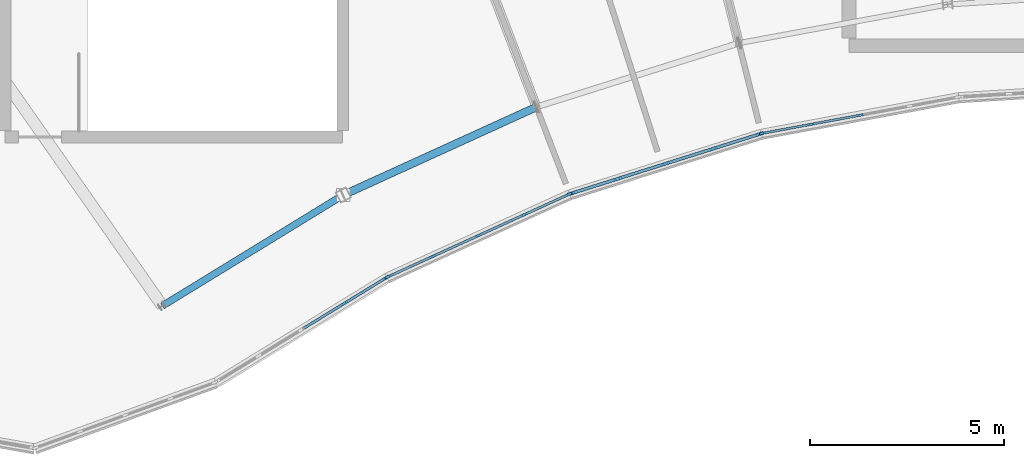
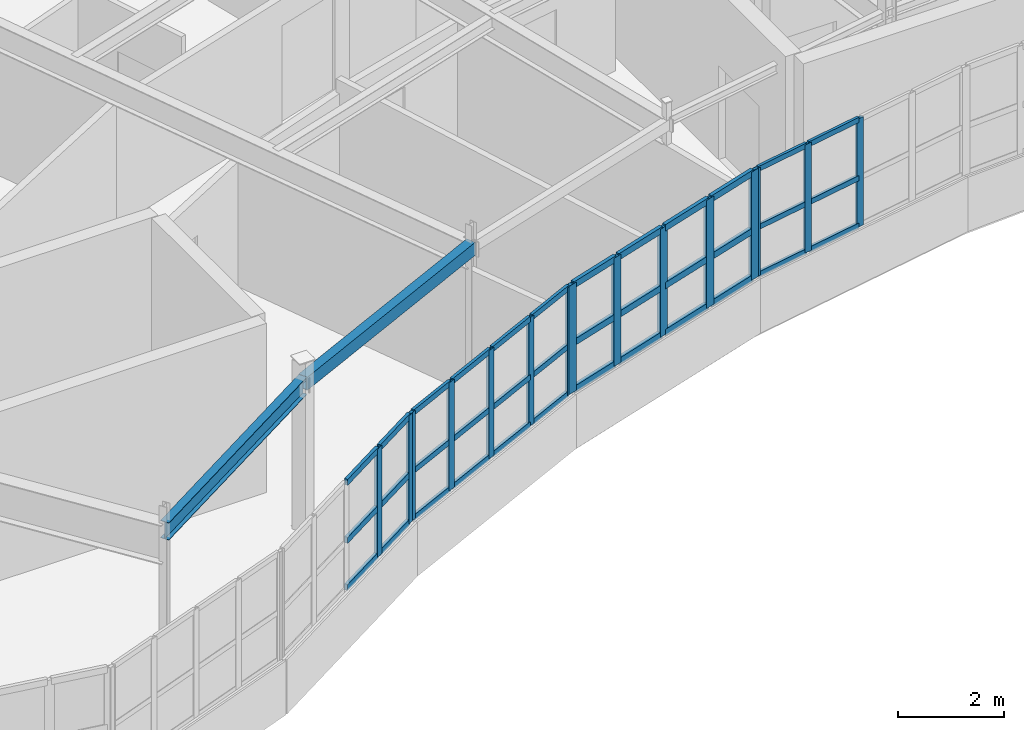
# One storey, part 27 of 60: 51 members, 2 beams, 4 elements without a shape of their own.
"""IFC4 building model written with IfcOpenShell, lengths in metres."""

from ifc_helpers import new_model, si_unit, direction, frame, origin, origin_2d, place, context, subcontext, project, spatial, rectangle, hollow_rectangle, i_section, extrude, material, layer, layer_set, material_profile, profile_set, type_object, element, aggregate, save


model = new_model("IFC4")

# Units and contexts
model_context = context("Model", 3, precision=1e-05, world=origin(), true_north=direction((0.0, 1.0)))
body_context = subcontext(model_context, "Body", "Model", "MODEL_VIEW")
ifc_project = project(units=[si_unit("LENGTHUNIT", "METRE"), si_unit("AREAUNIT", "SQUARE_METRE"), si_unit("VOLUMEUNIT", "CUBIC_METRE"), si_unit("PLANEANGLEUNIT", "RADIAN"), si_unit("MASSUNIT", "GRAM", prefix="KILO")], contexts=[model_context])

# Site, building, storey
site_placement = place(None, origin())
site = spatial("IfcSite", under=ifc_project, at=site_placement, CompositionType="ELEMENT")
building_placement = place(site_placement, origin())
building = spatial("IfcBuilding", under=site, at=building_placement, Name="Tarnwether General Hospital", CompositionType="ELEMENT")
storey_placement = place(building_placement, frame((0.0, 0.0, 26.10009765625)))
storey = spatial("IfcBuildingStorey", under=building, at=storey_placement, Name="L06", CompositionType="ELEMENT", Elevation=26.10009765625)

# Beams
ifc_material_1 = material(Name="Steel Grade 350 (350 MPa)", Category="steel")
ifc_material_profile_1 = material_profile(ifc_material_1, i_section(OverallWidth=0.177978515625, OverallDepth=0.403076171875, WebThickness=0.007568359375, FlangeThickness=0.010986328125, at=origin_2d()), Name="410UB53.7")
ifc_profile_set_1 = profile_set([ifc_material_profile_1], Name="Steel Grade 350 (350 MPa)")
beam_type_1 = type_object("IfcBeamType", Name="BM-SP2", PredefinedType="SPANDREL", material=ifc_profile_set_1)
beam_1_placement = place(storey_placement, frame((66.303955078125, 99.697998046875, 3.29833984375), z_axis=(0.85265897909, 0.522467860617, 0.0), x_axis=(-0.522467860617, 0.85265897909, 0.0)))
element("IfcBeam", 1, at=beam_1_placement, inside=storey, type_object=beam_type_1, Name="Curved Ward NW Inner Spandrel BMG-L06-6630_9970-7097_10256-2020", PredefinedType="SPANDREL", context=body_context, shape_type="SweptSolid", body=[
    extrude(i_section(OverallWidth=0.177978515625, OverallDepth=0.403076171875, WebThickness=0.007568359375, FlangeThickness=0.010986328125, at=origin_2d()), origin(), (0.0, 0.0, 1.0), 5.469970703125),
])
ifc_material_2 = material(Name="Steel Grade C350L0 (350 MPa)", Category="steel")
ifc_material_profile_2 = material_profile(ifc_material_2, hollow_rectangle(XDim=0.199951171875, YDim=0.300048828125, WallThickness=0.012451171875, at=origin_2d()), Name="RHS300x200x12.5")
ifc_profile_set_2 = profile_set([ifc_material_profile_2], Name="Steel Grade C350L0 (350 MPa)")
beam_type_2 = type_object("IfcBeamType", Name="BM-SP3", PredefinedType="SPANDREL", material=ifc_profile_set_2)
beam_2_placement = place(storey_placement, frame((70.968017578125, 102.555908203125, 3.349853515625), z_axis=(0.909968605358, 0.414677148228, 0.0), x_axis=(-0.414677148228, 0.909968605358, 0.0)))
element("IfcBeam", 2, at=beam_2_placement, inside=storey, type_object=beam_type_2, Name="Curved Ward NW Inner Spandrel BMG-L06-7097_10256-7594_10482-2022", PredefinedType="SPANDREL", context=body_context, shape_type="SweptSolid", body=[
    extrude(hollow_rectangle(XDim=0.199951171875, YDim=0.300048828125, WallThickness=0.012451171875, at=origin_2d()), origin(), (0.0, 0.0, 1.0), 5.469482421875),
])

# Curtain wall, members
ifc_material_3 = material(Name="Anodised aluminium", Category="aluminium")
ifc_layer = layer(ifc_material_3, 0.159912109375)
ifc_layer_set = layer_set([ifc_layer], Name="Anodised aluminium")
curtain_wall_type = type_object("IfcCurtainWallType", Name="CW-04", PredefinedType="NOTDEFINED", material=ifc_layer_set)
curtain_wall_1_placement = place(storey_placement, origin())
curtain_wall_1 = element("IfcCurtainWall", 3, at=curtain_wall_1_placement, inside=storey, type_object=curtain_wall_type, Name="Curtain Wall CWG-L06-868_1051-0105", PredefinedType="NOTDEFINED")
ifc_material_4 = material(Name="Anodised aluminium", Category="aluminium")
ifc_material_profile_3 = material_profile(ifc_material_4, rectangle(XDim=0.06005859375, YDim=0.159912109375, at=origin_2d()), Name="ALU-MUL-60x160")
ifc_profile_set_3 = profile_set([ifc_material_profile_3], Name="Anodised aluminium")
member_type_1 = type_object("IfcMemberType", Name="CW-ML1", PredefinedType="MULLION", material=ifc_profile_set_3)
member_1_placement = place(storey_placement, frame((84.2880859375, 104.612548828125, 1.0498046875), z_axis=(0.0, 0.0, 1.0), x_axis=(0.182165351666, -0.983267910924, 0.0)))
member_1 = element("IfcMember", 4, at=member_1_placement, type_object=member_type_1, Name="CW-04 mullion 3", PredefinedType="MULLION", context=body_context, shape_type="SweptSolid", body=[
    extrude(rectangle(XDim=0.06005859375, YDim=0.159912109375, at=origin_2d()), origin(), (0.0, 0.0, 1.0), 2.4951171875),
])
member_2_placement = place(storey_placement, frame((83.015380859375, 104.376708984375, 1.0498046875), z_axis=(0.0, 0.0, 1.0), x_axis=(0.182165351666, -0.983267910924, 0.0)))
member_2 = element("IfcMember", 5, at=member_2_placement, type_object=member_type_1, Name="CW-04 mullion 4", PredefinedType="MULLION", context=body_context, shape_type="SweptSolid", body=[
    extrude(rectangle(XDim=0.06005859375, YDim=0.159912109375, at=origin_2d()), origin(), (0.0, 0.0, 1.0), 2.4951171875),
])
member_3_placement = place(storey_placement, frame((81.7724609375, 104.146484375, 1.0498046875), z_axis=(0.0, 0.0, 1.0), x_axis=(0.182165351666, -0.983267910924, 0.0)))
member_3 = element("IfcMember", 6, at=member_3_placement, type_object=member_type_1, Name="CW-04 mullion 5", PredefinedType="MULLION", context=body_context, shape_type="SweptSolid", body=[
    extrude(rectangle(XDim=0.06005859375, YDim=0.159912109375, at=origin_2d()), origin(), (0.0, 0.0, 1.0), 2.4951171875),
])

curtain_wall_2_placement = place(storey_placement, origin())
curtain_wall_2 = element("IfcCurtainWall", 7, at=curtain_wall_2_placement, inside=storey, type_object=curtain_wall_type, Name="Curtain Wall CWG-L06-721_1004-0102", PredefinedType="NOTDEFINED")
ifc_material_5 = material(Name="Anodised aluminium", Category="aluminium")
ifc_material_profile_4 = material_profile(ifc_material_5, rectangle(XDim=0.070068359375, YDim=0.179931640625, at=origin_2d()), Name="ALU-MUL-70x180")
ifc_profile_set_4 = profile_set([ifc_material_profile_4], Name="Anodised aluminium")
member_type_2 = type_object("IfcMemberType", Name="CW-ML2", PredefinedType="MULLION", material=ifc_profile_set_4)
member_4_placement = place(storey_placement, frame((72.064208984375, 100.418701171875, 1.0498046875), z_axis=(0.0, 0.0, 1.0), x_axis=(0.522512231483, -0.852631789198, 0.0)))
member_4 = element("IfcMember", 8, at=member_4_placement, type_object=member_type_2, Name="CW-04 mullion 1", PredefinedType="MULLION", context=body_context, shape_type="SweptSolid", body=[
    extrude(rectangle(XDim=0.070068359375, YDim=0.179931640625, at=origin_2d()), origin(), (0.0, 0.0, 1.0), 2.4951171875),
])
member_5_placement = place(storey_placement, frame((70.990478515625, 99.7607421875, 1.0498046875), z_axis=(0.0, 0.0, 1.0), x_axis=(0.522512231483, -0.852631789198, 0.0)))
member_5 = element("IfcMember", 9, at=member_5_placement, type_object=member_type_2, Name="CW-04 mullion 2", PredefinedType="MULLION", context=body_context, shape_type="SweptSolid", body=[
    extrude(rectangle(XDim=0.070068359375, YDim=0.179931640625, at=origin_2d()), origin(), (0.0, 0.0, 1.0), 2.4951171875),
])

curtain_wall_3_placement = place(storey_placement, origin())
curtain_wall_3 = element("IfcCurtainWall", 10, at=curtain_wall_3_placement, inside=storey, type_object=curtain_wall_type, Name="Curtain Wall CWG-L06-768_1026-0103", PredefinedType="NOTDEFINED")
ifc_material_6 = material(Name="Anodised aluminium", Category="aluminium")
ifc_material_profile_5 = material_profile(ifc_material_6, rectangle(XDim=0.06494140625, YDim=0.169921875, at=origin_2d()), Name="ALU-MUL-65x170")
ifc_profile_set_5 = profile_set([ifc_material_profile_5], Name="Anodised aluminium")
member_type_3 = type_object("IfcMemberType", Name="CW-ML3", PredefinedType="MULLION", material=ifc_profile_set_5)
member_6_placement = place(storey_placement, frame((76.775390625, 102.570556640625, 1.0498046875), z_axis=(0.0, 0.0, 1.0), x_axis=(0.41470501572, -0.90995590549, 0.0)))
member_6 = element("IfcMember", 11, at=member_6_placement, type_object=member_type_3, Name="CW-04 mullion 1", PredefinedType="MULLION", context=body_context, shape_type="SweptSolid", body=[
    extrude(rectangle(XDim=0.06494140625, YDim=0.169921875, at=origin_2d()), origin(), (0.0, 0.0, 1.0), 2.4951171875),
])
member_7_placement = place(storey_placement, frame((75.627197265625, 102.04736328125, 1.0498046875), z_axis=(0.0, 0.0, 1.0), x_axis=(0.41470501572, -0.90995590549, 0.0)))
member_7 = element("IfcMember", 12, at=member_7_placement, type_object=member_type_3, Name="CW-04 mullion 2", PredefinedType="MULLION", context=body_context, shape_type="SweptSolid", body=[
    extrude(rectangle(XDim=0.06494140625, YDim=0.169921875, at=origin_2d()), origin(), (0.0, 0.0, 1.0), 2.4951171875),
])
member_8_placement = place(storey_placement, frame((74.449462890625, 101.510498046875, 1.0498046875), z_axis=(0.0, 0.0, 1.0), x_axis=(0.41470501572, -0.90995590549, 0.0)))
member_8 = element("IfcMember", 13, at=member_8_placement, type_object=member_type_3, Name="CW-04 mullion 3", PredefinedType="MULLION", context=body_context, shape_type="SweptSolid", body=[
    extrude(rectangle(XDim=0.06494140625, YDim=0.169921875, at=origin_2d()), origin(), (0.0, 0.0, 1.0), 2.4951171875),
])
member_9_placement = place(storey_placement, frame((73.271728515625, 100.9736328125, 1.0498046875), z_axis=(0.0, 0.0, 1.0), x_axis=(0.41470501572, -0.90995590549, 0.0)))
member_9 = element("IfcMember", 14, at=member_9_placement, type_object=member_type_3, Name="CW-04 mullion 4", PredefinedType="MULLION", context=body_context, shape_type="SweptSolid", body=[
    extrude(rectangle(XDim=0.06494140625, YDim=0.169921875, at=origin_2d()), origin(), (0.0, 0.0, 1.0), 2.4951171875),
])
member_10_placement = place(storey_placement, frame((72.12353515625, 100.450439453125, 1.0498046875), z_axis=(0.0, 0.0, 1.0), x_axis=(0.41470501572, -0.90995590549, 0.0)))
member_10 = element("IfcMember", 15, at=member_10_placement, type_object=member_type_3, Name="CW-04 mullion 5", PredefinedType="MULLION", context=body_context, shape_type="SweptSolid", body=[
    extrude(rectangle(XDim=0.06494140625, YDim=0.169921875, at=origin_2d()), origin(), (0.0, 0.0, 1.0), 2.4951171875),
])

curtain_wall_4_placement = place(storey_placement, origin())
curtain_wall_4 = element("IfcCurtainWall", 16, at=curtain_wall_4_placement, inside=storey, type_object=curtain_wall_type, Name="Curtain Wall CWG-L06-817_1041-0104", PredefinedType="NOTDEFINED")
ifc_material_7 = material(Name="Anodised aluminium", Category="aluminium")
ifc_material_profile_6 = material_profile(ifc_material_7, rectangle(XDim=0.080078125, YDim=0.199951171875, at=origin_2d()), Name="ALU-MUL-80x200")
ifc_profile_set_6 = profile_set([ifc_material_profile_6], Name="Anodised aluminium")
member_type_4 = type_object("IfcMemberType", Name="CW-ML4", PredefinedType="MULLION", material=ifc_profile_set_6)
member_11_placement = place(storey_placement, frame((81.704833984375, 104.12890625, 1.0498046875), z_axis=(0.0, 0.0, 1.0), x_axis=(0.30071538783, -0.953713927508, 0.0)))
member_11 = element("IfcMember", 17, at=member_11_placement, type_object=member_type_4, Name="CW-04 mullion 1", PredefinedType="MULLION", context=body_context, shape_type="SweptSolid", body=[
    extrude(rectangle(XDim=0.080078125, YDim=0.199951171875, at=origin_2d()), origin(), (0.0, 0.0, 1.0), 2.4951171875),
])
member_12_placement = place(storey_placement, frame((80.508544921875, 103.751708984375, 1.0498046875), z_axis=(0.0, 0.0, 1.0), x_axis=(0.30071538783, -0.953713927508, 0.0)))
member_12 = element("IfcMember", 18, at=member_12_placement, type_object=member_type_4, Name="CW-04 mullion 2", PredefinedType="MULLION", context=body_context, shape_type="SweptSolid", body=[
    extrude(rectangle(XDim=0.080078125, YDim=0.199951171875, at=origin_2d()), origin(), (0.0, 0.0, 1.0), 2.4951171875),
])
member_13_placement = place(storey_placement, frame((79.27392578125, 103.362548828125, 1.0498046875), z_axis=(0.0, 0.0, 1.0), x_axis=(0.30071538783, -0.953713927508, 0.0)))
member_13 = element("IfcMember", 19, at=member_13_placement, type_object=member_type_4, Name="CW-04 mullion 3", PredefinedType="MULLION", context=body_context, shape_type="SweptSolid", body=[
    extrude(rectangle(XDim=0.080078125, YDim=0.199951171875, at=origin_2d()), origin(), (0.0, 0.0, 1.0), 2.4951171875),
])
member_14_placement = place(storey_placement, frame((78.03955078125, 102.97314453125, 1.0498046875), z_axis=(0.0, 0.0, 1.0), x_axis=(0.30071538783, -0.953713927508, 0.0)))
member_14 = element("IfcMember", 20, at=member_14_placement, type_object=member_type_4, Name="CW-04 mullion 4", PredefinedType="MULLION", context=body_context, shape_type="SweptSolid", body=[
    extrude(rectangle(XDim=0.080078125, YDim=0.199951171875, at=origin_2d()), origin(), (0.0, 0.0, 1.0), 2.4951171875),
])
member_15_placement = place(storey_placement, frame((76.84326171875, 102.595947265625, 1.0498046875), z_axis=(0.0, 0.0, 1.0), x_axis=(0.30071538783, -0.953713927508, 0.0)))
member_15 = element("IfcMember", 21, at=member_15_placement, type_object=member_type_4, Name="CW-04 mullion 5", PredefinedType="MULLION", context=body_context, shape_type="SweptSolid", body=[
    extrude(rectangle(XDim=0.080078125, YDim=0.199951171875, at=origin_2d()), origin(), (0.0, 0.0, 1.0), 2.4951171875),
])

# Member
ifc_material_8 = material(Name="Anodised aluminium", Category="aluminium")
ifc_material_profile_7 = material_profile(ifc_material_8, rectangle(XDim=0.06005859375, YDim=0.1201171875, at=origin_2d()), Name="ALU-TRN-60x120")
ifc_profile_set_7 = profile_set([ifc_material_profile_7], Name="Anodised aluminium")
member_type_5 = type_object("IfcMemberType", Name="CW-TR1", PredefinedType="USERDEFINED", material=ifc_profile_set_7)
member_16_placement = place(storey_placement, frame((84.258544921875, 104.60693359375, 1.079833984375), z_axis=(-0.983301675068, -0.181983009669, 0.0), x_axis=(0.181983009669, -0.983301675068, 0.0)))
member_16 = element("IfcMember", 22, at=member_16_placement, type_object=member_type_5, Name="CW-04 transom 3.1", ObjectType="TRANSOM", PredefinedType="USERDEFINED", context=body_context, shape_type="SweptSolid", body=[
    extrude(rectangle(XDim=0.06005859375, YDim=0.1201171875, at=origin_2d()), origin(), (0.0, 0.0, 1.0), 1.234130859375),
])

member_17_placement = place(storey_placement, frame((84.258544921875, 104.60693359375, 2.172607421875), z_axis=(-0.983301675068, -0.181983009669, 0.0), x_axis=(0.181983009669, -0.983301675068, 0.0)))
member_17 = element("IfcMember", 23, at=member_17_placement, type_object=member_type_5, Name="CW-04 transom 3.2", ObjectType="TRANSOM", PredefinedType="USERDEFINED", context=body_context, shape_type="SweptSolid", body=[
    extrude(rectangle(XDim=0.06005859375, YDim=0.1201171875, at=origin_2d()), origin(), (0.0, 0.0, 1.0), 1.234130859375),
])

member_18_placement = place(storey_placement, frame((84.258544921875, 104.60693359375, 3.514892578125), z_axis=(-0.983301675068, -0.181983009669, 0.0), x_axis=(0.181983009669, -0.983301675068, 0.0)))
member_18 = element("IfcMember", 24, at=member_18_placement, type_object=member_type_5, Name="CW-04 transom 3.3", ObjectType="TRANSOM", PredefinedType="USERDEFINED", context=body_context, shape_type="SweptSolid", body=[
    extrude(rectangle(XDim=0.06005859375, YDim=0.1201171875, at=origin_2d()), origin(), (0.0, 0.0, 1.0), 1.234130859375),
])

member_19_placement = place(storey_placement, frame((82.986083984375, 104.371337890625, 1.079833984375), z_axis=(-0.983251070117, -0.182256229286, 0.0), x_axis=(0.182256229286, -0.983251070117, 0.0)))
member_19 = element("IfcMember", 25, at=member_19_placement, type_object=member_type_5, Name="CW-04 transom 4.1", ObjectType="TRANSOM", PredefinedType="USERDEFINED", context=body_context, shape_type="SweptSolid", body=[
    extrude(rectangle(XDim=0.06005859375, YDim=0.1201171875, at=origin_2d()), origin(), (0.0, 0.0, 1.0), 1.204345703125),
])

member_20_placement = place(storey_placement, frame((82.986083984375, 104.371337890625, 2.172607421875), z_axis=(-0.983251070117, -0.182256229286, 0.0), x_axis=(0.182256229286, -0.983251070117, 0.0)))
member_20 = element("IfcMember", 26, at=member_20_placement, type_object=member_type_5, Name="CW-04 transom 4.2", ObjectType="TRANSOM", PredefinedType="USERDEFINED", context=body_context, shape_type="SweptSolid", body=[
    extrude(rectangle(XDim=0.06005859375, YDim=0.1201171875, at=origin_2d()), origin(), (0.0, 0.0, 1.0), 1.204345703125),
])

member_21_placement = place(storey_placement, frame((82.986083984375, 104.371337890625, 3.514892578125), z_axis=(-0.983251070117, -0.182256229286, 0.0), x_axis=(0.182256229286, -0.983251070117, 0.0)))
member_21 = element("IfcMember", 27, at=member_21_placement, type_object=member_type_5, Name="CW-04 transom 4.3", ObjectType="TRANSOM", PredefinedType="USERDEFINED", context=body_context, shape_type="SweptSolid", body=[
    extrude(rectangle(XDim=0.06005859375, YDim=0.1201171875, at=origin_2d()), origin(), (0.0, 0.0, 1.0), 1.204345703125),
])

aggregate(curtain_wall_1, [member_1, member_2, member_3, member_16, member_17, member_18, member_19, member_20, member_21])

ifc_material_9 = material(Name="Anodised aluminium", Category="aluminium")
ifc_material_profile_8 = material_profile(ifc_material_9, rectangle(XDim=0.070068359375, YDim=0.139892578125, at=origin_2d()), Name="ALU-TRN-70x140")
ifc_profile_set_8 = profile_set([ifc_material_profile_8], Name="Anodised aluminium")
member_type_6 = type_object("IfcMemberType", Name="CW-TR2", PredefinedType="USERDEFINED", material=ifc_profile_set_8)
member_22_placement = place(storey_placement, frame((72.034423828125, 100.400390625, 1.0849609375), z_axis=(-0.852692694866, -0.522412833037, 0.0), x_axis=(0.522412833037, -0.852692694866, 0.0)))
member_22 = element("IfcMember", 28, at=member_22_placement, type_object=member_type_6, Name="CW-04 transom 1.1", ObjectType="TRANSOM", PredefinedType="USERDEFINED", context=body_context, shape_type="SweptSolid", body=[
    extrude(rectangle(XDim=0.070068359375, YDim=0.139892578125, at=origin_2d()), origin(), (0.0, 0.0, 1.0), 1.189453125),
])

member_23_placement = place(storey_placement, frame((72.034423828125, 100.400390625, 2.172607421875), z_axis=(-0.852692694866, -0.522412833037, 0.0), x_axis=(0.522412833037, -0.852692694866, 0.0)))
member_23 = element("IfcMember", 29, at=member_23_placement, type_object=member_type_6, Name="CW-04 transom 1.2", ObjectType="TRANSOM", PredefinedType="USERDEFINED", context=body_context, shape_type="SweptSolid", body=[
    extrude(rectangle(XDim=0.070068359375, YDim=0.139892578125, at=origin_2d()), origin(), (0.0, 0.0, 1.0), 1.189453125),
])

member_24_placement = place(storey_placement, frame((72.034423828125, 100.400390625, 3.510009765625), z_axis=(-0.852692694866, -0.522412833037, 0.0), x_axis=(0.522412833037, -0.852692694866, 0.0)))
member_24 = element("IfcMember", 30, at=member_24_placement, type_object=member_type_6, Name="CW-04 transom 1.3", ObjectType="TRANSOM", PredefinedType="USERDEFINED", context=body_context, shape_type="SweptSolid", body=[
    extrude(rectangle(XDim=0.070068359375, YDim=0.139892578125, at=origin_2d()), origin(), (0.0, 0.0, 1.0), 1.189453125),
])

member_25_placement = place(storey_placement, frame((70.960693359375, 99.742431640625, 1.0849609375), z_axis=(-0.852670027324, -0.522449829651, 0.0), x_axis=(0.522449829651, -0.852670027324, 0.0)))
member_25 = element("IfcMember", 31, at=member_25_placement, type_object=member_type_6, Name="CW-04 transom 2.1", ObjectType="TRANSOM", PredefinedType="USERDEFINED", context=body_context, shape_type="SweptSolid", body=[
    extrude(rectangle(XDim=0.070068359375, YDim=0.139892578125, at=origin_2d()), origin(), (0.0, 0.0, 1.0), 1.224365234375),
])

member_26_placement = place(storey_placement, frame((70.960693359375, 99.742431640625, 2.172607421875), z_axis=(-0.852670027324, -0.522449829651, 0.0), x_axis=(0.522449829651, -0.852670027324, 0.0)))
member_26 = element("IfcMember", 32, at=member_26_placement, type_object=member_type_6, Name="CW-04 transom 2.2", ObjectType="TRANSOM", PredefinedType="USERDEFINED", context=body_context, shape_type="SweptSolid", body=[
    extrude(rectangle(XDim=0.070068359375, YDim=0.139892578125, at=origin_2d()), origin(), (0.0, 0.0, 1.0), 1.224365234375),
])

member_27_placement = place(storey_placement, frame((70.960693359375, 99.742431640625, 3.510009765625), z_axis=(-0.852670027324, -0.522449829651, 0.0), x_axis=(0.522449829651, -0.852670027324, 0.0)))
member_27 = element("IfcMember", 33, at=member_27_placement, type_object=member_type_6, Name="CW-04 transom 2.3", ObjectType="TRANSOM", PredefinedType="USERDEFINED", context=body_context, shape_type="SweptSolid", body=[
    extrude(rectangle(XDim=0.070068359375, YDim=0.139892578125, at=origin_2d()), origin(), (0.0, 0.0, 1.0), 1.224365234375),
])

aggregate(curtain_wall_2, [member_4, member_5, member_22, member_23, member_24, member_25, member_26, member_27])

ifc_material_10 = material(Name="Anodised aluminium", Category="aluminium")
ifc_material_profile_9 = material_profile(ifc_material_10, rectangle(XDim=0.06494140625, YDim=0.1298828125, at=origin_2d()), Name="ALU-TRN-65x130")
ifc_profile_set_9 = profile_set([ifc_material_profile_9], Name="Anodised aluminium")
member_type_7 = type_object("IfcMemberType", Name="CW-TR3", PredefinedType="USERDEFINED", material=ifc_profile_set_9)
member_28_placement = place(storey_placement, frame((76.745849609375, 102.55712890625, 1.08251953125), z_axis=(-0.909960872611, -0.41469411657, 0.0), x_axis=(0.41469411657, -0.909960872611, 0.0)))
member_28 = element("IfcMember", 34, at=member_28_placement, type_object=member_type_7, Name="CW-04 transom 1.1", ObjectType="TRANSOM", PredefinedType="USERDEFINED", context=body_context, shape_type="SweptSolid", body=[
    extrude(rectangle(XDim=0.06494140625, YDim=0.1298828125, at=origin_2d()), origin(), (0.0, 0.0, 1.0), 1.19677734375),
])

member_29_placement = place(storey_placement, frame((76.745849609375, 102.55712890625, 2.172607421875), z_axis=(-0.909960872611, -0.41469411657, 0.0), x_axis=(0.41469411657, -0.909960872611, 0.0)))
member_29 = element("IfcMember", 35, at=member_29_placement, type_object=member_type_7, Name="CW-04 transom 1.2", ObjectType="TRANSOM", PredefinedType="USERDEFINED", context=body_context, shape_type="SweptSolid", body=[
    extrude(rectangle(XDim=0.06494140625, YDim=0.1298828125, at=origin_2d()), origin(), (0.0, 0.0, 1.0), 1.19677734375),
])

member_30_placement = place(storey_placement, frame((76.745849609375, 102.55712890625, 3.512451171875), z_axis=(-0.909960872611, -0.41469411657, 0.0), x_axis=(0.41469411657, -0.909960872611, 0.0)))
member_30 = element("IfcMember", 36, at=member_30_placement, type_object=member_type_7, Name="CW-04 transom 1.3", ObjectType="TRANSOM", PredefinedType="USERDEFINED", context=body_context, shape_type="SweptSolid", body=[
    extrude(rectangle(XDim=0.06494140625, YDim=0.1298828125, at=origin_2d()), origin(), (0.0, 0.0, 1.0), 1.19677734375),
])

member_31_placement = place(storey_placement, frame((75.59765625, 102.03369140625, 1.08251953125), z_axis=(-0.909971590259, -0.414670598092, 0.0), x_axis=(0.414670598092, -0.909971590259, 0.0)))
member_31 = element("IfcMember", 37, at=member_31_placement, type_object=member_type_7, Name="CW-04 transom 2.1", ObjectType="TRANSOM", PredefinedType="USERDEFINED", context=body_context, shape_type="SweptSolid", body=[
    extrude(rectangle(XDim=0.06494140625, YDim=0.1298828125, at=origin_2d()), origin(), (0.0, 0.0, 1.0), 1.229248046875),
])

member_32_placement = place(storey_placement, frame((75.59765625, 102.03369140625, 2.172607421875), z_axis=(-0.909971590259, -0.414670598092, 0.0), x_axis=(0.414670598092, -0.909971590259, 0.0)))
member_32 = element("IfcMember", 38, at=member_32_placement, type_object=member_type_7, Name="CW-04 transom 2.2", ObjectType="TRANSOM", PredefinedType="USERDEFINED", context=body_context, shape_type="SweptSolid", body=[
    extrude(rectangle(XDim=0.06494140625, YDim=0.1298828125, at=origin_2d()), origin(), (0.0, 0.0, 1.0), 1.229248046875),
])

member_33_placement = place(storey_placement, frame((75.59765625, 102.03369140625, 3.512451171875), z_axis=(-0.909971590259, -0.414670598092, 0.0), x_axis=(0.414670598092, -0.909971590259, 0.0)))
member_33 = element("IfcMember", 39, at=member_33_placement, type_object=member_type_7, Name="CW-04 transom 2.3", ObjectType="TRANSOM", PredefinedType="USERDEFINED", context=body_context, shape_type="SweptSolid", body=[
    extrude(rectangle(XDim=0.06494140625, YDim=0.1298828125, at=origin_2d()), origin(), (0.0, 0.0, 1.0), 1.229248046875),
])

member_34_placement = place(storey_placement, frame((74.419921875, 101.4970703125, 1.08251953125), z_axis=(-0.909971590259, -0.414670598092, 0.0), x_axis=(0.414670598092, -0.909971590259, 0.0)))
member_34 = element("IfcMember", 40, at=member_34_placement, type_object=member_type_7, Name="CW-04 transom 3.1", ObjectType="TRANSOM", PredefinedType="USERDEFINED", context=body_context, shape_type="SweptSolid", body=[
    extrude(rectangle(XDim=0.06494140625, YDim=0.1298828125, at=origin_2d()), origin(), (0.0, 0.0, 1.0), 1.229248046875),
])

member_35_placement = place(storey_placement, frame((74.419921875, 101.4970703125, 2.172607421875), z_axis=(-0.909971590259, -0.414670598092, 0.0), x_axis=(0.414670598092, -0.909971590259, 0.0)))
member_35 = element("IfcMember", 41, at=member_35_placement, type_object=member_type_7, Name="CW-04 transom 3.2", ObjectType="TRANSOM", PredefinedType="USERDEFINED", context=body_context, shape_type="SweptSolid", body=[
    extrude(rectangle(XDim=0.06494140625, YDim=0.1298828125, at=origin_2d()), origin(), (0.0, 0.0, 1.0), 1.229248046875),
])

member_36_placement = place(storey_placement, frame((74.419921875, 101.4970703125, 3.512451171875), z_axis=(-0.909971590259, -0.414670598092, 0.0), x_axis=(0.414670598092, -0.909971590259, 0.0)))
member_36 = element("IfcMember", 42, at=member_36_placement, type_object=member_type_7, Name="CW-04 transom 3.3", ObjectType="TRANSOM", PredefinedType="USERDEFINED", context=body_context, shape_type="SweptSolid", body=[
    extrude(rectangle(XDim=0.06494140625, YDim=0.1298828125, at=origin_2d()), origin(), (0.0, 0.0, 1.0), 1.229248046875),
])

member_37_placement = place(storey_placement, frame((73.2421875, 100.960205078125, 1.08251953125), z_axis=(-0.909960872611, -0.41469411657, 0.0), x_axis=(0.41469411657, -0.909960872611, 0.0)))
member_37 = element("IfcMember", 43, at=member_37_placement, type_object=member_type_7, Name="CW-04 transom 4.1", ObjectType="TRANSOM", PredefinedType="USERDEFINED", context=body_context, shape_type="SweptSolid", body=[
    extrude(rectangle(XDim=0.06494140625, YDim=0.1298828125, at=origin_2d()), origin(), (0.0, 0.0, 1.0), 1.19677734375),
])

member_38_placement = place(storey_placement, frame((73.2421875, 100.960205078125, 2.172607421875), z_axis=(-0.909960872611, -0.41469411657, 0.0), x_axis=(0.41469411657, -0.909960872611, 0.0)))
member_38 = element("IfcMember", 44, at=member_38_placement, type_object=member_type_7, Name="CW-04 transom 4.2", ObjectType="TRANSOM", PredefinedType="USERDEFINED", context=body_context, shape_type="SweptSolid", body=[
    extrude(rectangle(XDim=0.06494140625, YDim=0.1298828125, at=origin_2d()), origin(), (0.0, 0.0, 1.0), 1.19677734375),
])

member_39_placement = place(storey_placement, frame((73.2421875, 100.960205078125, 3.512451171875), z_axis=(-0.909960872611, -0.41469411657, 0.0), x_axis=(0.41469411657, -0.909960872611, 0.0)))
member_39 = element("IfcMember", 45, at=member_39_placement, type_object=member_type_7, Name="CW-04 transom 4.3", ObjectType="TRANSOM", PredefinedType="USERDEFINED", context=body_context, shape_type="SweptSolid", body=[
    extrude(rectangle(XDim=0.06494140625, YDim=0.1298828125, at=origin_2d()), origin(), (0.0, 0.0, 1.0), 1.19677734375),
])

aggregate(curtain_wall_3, [member_6, member_7, member_8, member_9, member_10, member_28, member_29, member_30, member_31, member_32, member_33, member_34, member_35, member_36, member_37, member_38, member_39])

ifc_material_11 = material(Name="Anodised aluminium", Category="aluminium")
ifc_material_profile_10 = material_profile(ifc_material_11, rectangle(XDim=0.080078125, YDim=0.14990234375, at=origin_2d()), Name="ALU-TRN-80x150")
ifc_profile_set_10 = profile_set([ifc_material_profile_10], Name="Anodised aluminium")
member_type_8 = type_object("IfcMemberType", Name="CW-TR4", PredefinedType="USERDEFINED", material=ifc_profile_set_10)
member_40_placement = place(storey_placement, frame((81.666748046875, 104.116943359375, 1.08984375), z_axis=(-0.953692556259, -0.300783158001, 0.0), x_axis=(0.300783158001, -0.953692556259, 0.0)))
member_40 = element("IfcMember", 46, at=member_40_placement, type_object=member_type_8, Name="CW-04 transom 1.1", ObjectType="TRANSOM", PredefinedType="USERDEFINED", context=body_context, shape_type="SweptSolid", body=[
    extrude(rectangle(XDim=0.080078125, YDim=0.14990234375, at=origin_2d()), origin(), (0.0, 0.0, 1.0), 1.174560546875),
])

member_41_placement = place(storey_placement, frame((81.666748046875, 104.116943359375, 2.172607421875), z_axis=(-0.953692556259, -0.300783158001, 0.0), x_axis=(0.300783158001, -0.953692556259, 0.0)))
member_41 = element("IfcMember", 47, at=member_41_placement, type_object=member_type_8, Name="CW-04 transom 1.2", ObjectType="TRANSOM", PredefinedType="USERDEFINED", context=body_context, shape_type="SweptSolid", body=[
    extrude(rectangle(XDim=0.080078125, YDim=0.14990234375, at=origin_2d()), origin(), (0.0, 0.0, 1.0), 1.174560546875),
])

member_42_placement = place(storey_placement, frame((81.666748046875, 104.116943359375, 3.5048828125), z_axis=(-0.953692556259, -0.300783158001, 0.0), x_axis=(0.300783158001, -0.953692556259, 0.0)))
member_42 = element("IfcMember", 48, at=member_42_placement, type_object=member_type_8, Name="CW-04 transom 1.3", ObjectType="TRANSOM", PredefinedType="USERDEFINED", context=body_context, shape_type="SweptSolid", body=[
    extrude(rectangle(XDim=0.080078125, YDim=0.14990234375, at=origin_2d()), origin(), (0.0, 0.0, 1.0), 1.174560546875),
])

member_43_placement = place(storey_placement, frame((80.470458984375, 103.73974609375, 1.08984375), z_axis=(-0.953704119214, -0.300746492905, 0.0), x_axis=(0.300746492905, -0.953704119214, 0.0)))
member_43 = element("IfcMember", 49, at=member_43_placement, type_object=member_type_8, Name="CW-04 transom 2.1", ObjectType="TRANSOM", PredefinedType="USERDEFINED", context=body_context, shape_type="SweptSolid", body=[
    extrude(rectangle(XDim=0.080078125, YDim=0.14990234375, at=origin_2d()), origin(), (0.0, 0.0, 1.0), 1.21435546875),
])

member_44_placement = place(storey_placement, frame((80.470458984375, 103.73974609375, 2.172607421875), z_axis=(-0.953704119214, -0.300746492905, 0.0), x_axis=(0.300746492905, -0.953704119214, 0.0)))
member_44 = element("IfcMember", 50, at=member_44_placement, type_object=member_type_8, Name="CW-04 transom 2.2", ObjectType="TRANSOM", PredefinedType="USERDEFINED", context=body_context, shape_type="SweptSolid", body=[
    extrude(rectangle(XDim=0.080078125, YDim=0.14990234375, at=origin_2d()), origin(), (0.0, 0.0, 1.0), 1.21435546875),
])

member_45_placement = place(storey_placement, frame((80.470458984375, 103.73974609375, 3.5048828125), z_axis=(-0.953704119214, -0.300746492905, 0.0), x_axis=(0.300746492905, -0.953704119214, 0.0)))
member_45 = element("IfcMember", 51, at=member_45_placement, type_object=member_type_8, Name="CW-04 transom 2.3", ObjectType="TRANSOM", PredefinedType="USERDEFINED", context=body_context, shape_type="SweptSolid", body=[
    extrude(rectangle(XDim=0.080078125, YDim=0.14990234375, at=origin_2d()), origin(), (0.0, 0.0, 1.0), 1.21435546875),
])

member_46_placement = place(storey_placement, frame((79.23583984375, 103.3505859375, 1.08984375), z_axis=(-0.953704119214, -0.300746492905, 0.0), x_axis=(0.300746492905, -0.953704119214, 0.0)))
member_46 = element("IfcMember", 52, at=member_46_placement, type_object=member_type_8, Name="CW-04 transom 3.1", ObjectType="TRANSOM", PredefinedType="USERDEFINED", context=body_context, shape_type="SweptSolid", body=[
    extrude(rectangle(XDim=0.080078125, YDim=0.14990234375, at=origin_2d()), origin(), (0.0, 0.0, 1.0), 1.21435546875),
])

member_47_placement = place(storey_placement, frame((79.23583984375, 103.3505859375, 2.172607421875), z_axis=(-0.953704119214, -0.300746492905, 0.0), x_axis=(0.300746492905, -0.953704119214, 0.0)))
member_47 = element("IfcMember", 53, at=member_47_placement, type_object=member_type_8, Name="CW-04 transom 3.2", ObjectType="TRANSOM", PredefinedType="USERDEFINED", context=body_context, shape_type="SweptSolid", body=[
    extrude(rectangle(XDim=0.080078125, YDim=0.14990234375, at=origin_2d()), origin(), (0.0, 0.0, 1.0), 1.21435546875),
])

member_48_placement = place(storey_placement, frame((79.23583984375, 103.3505859375, 3.5048828125), z_axis=(-0.953704119214, -0.300746492905, 0.0), x_axis=(0.300746492905, -0.953704119214, 0.0)))
member_48 = element("IfcMember", 54, at=member_48_placement, type_object=member_type_8, Name="CW-04 transom 3.3", ObjectType="TRANSOM", PredefinedType="USERDEFINED", context=body_context, shape_type="SweptSolid", body=[
    extrude(rectangle(XDim=0.080078125, YDim=0.14990234375, at=origin_2d()), origin(), (0.0, 0.0, 1.0), 1.21435546875),
])

member_49_placement = place(storey_placement, frame((78.00146484375, 102.961181640625, 1.08984375), z_axis=(-0.953752168784, -0.300594079351, 0.0), x_axis=(0.300594079351, -0.953752168784, 0.0)))
member_49 = element("IfcMember", 55, at=member_49_placement, type_object=member_type_8, Name="CW-04 transom 4.1", ObjectType="TRANSOM", PredefinedType="USERDEFINED", context=body_context, shape_type="SweptSolid", body=[
    extrude(rectangle(XDim=0.080078125, YDim=0.14990234375, at=origin_2d()), origin(), (0.0, 0.0, 1.0), 1.17431640625),
])

member_50_placement = place(storey_placement, frame((78.00146484375, 102.961181640625, 2.172607421875), z_axis=(-0.953752168784, -0.300594079351, 0.0), x_axis=(0.300594079351, -0.953752168784, 0.0)))
member_50 = element("IfcMember", 56, at=member_50_placement, type_object=member_type_8, Name="CW-04 transom 4.2", ObjectType="TRANSOM", PredefinedType="USERDEFINED", context=body_context, shape_type="SweptSolid", body=[
    extrude(rectangle(XDim=0.080078125, YDim=0.14990234375, at=origin_2d()), origin(), (0.0, 0.0, 1.0), 1.17431640625),
])

member_51_placement = place(storey_placement, frame((78.00146484375, 102.961181640625, 3.5048828125), z_axis=(-0.953752168784, -0.300594079351, 0.0), x_axis=(0.300594079351, -0.953752168784, 0.0)))
member_51 = element("IfcMember", 57, at=member_51_placement, type_object=member_type_8, Name="CW-04 transom 4.3", ObjectType="TRANSOM", PredefinedType="USERDEFINED", context=body_context, shape_type="SweptSolid", body=[
    extrude(rectangle(XDim=0.080078125, YDim=0.14990234375, at=origin_2d()), origin(), (0.0, 0.0, 1.0), 1.17431640625),
])

aggregate(curtain_wall_4, [member_11, member_12, member_13, member_14, member_15, member_40, member_41, member_42, member_43, member_44, member_45, member_46, member_47, member_48, member_49, member_50, member_51])

save(model, "model.ifc")
